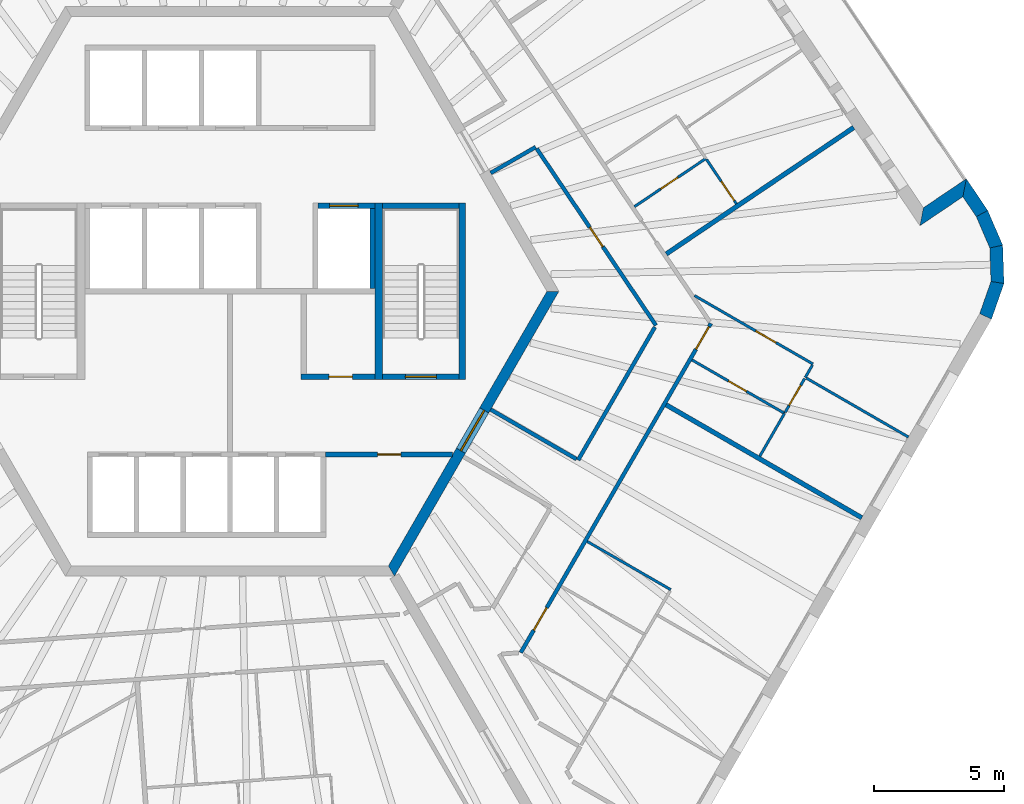
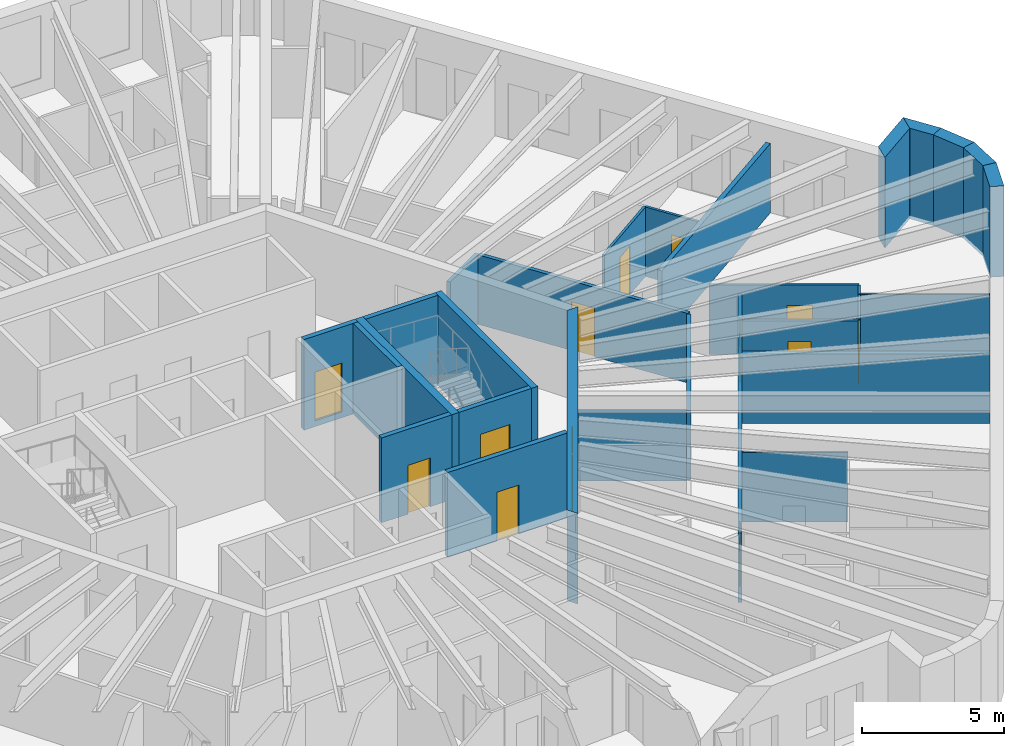
# One storey, part 7 of 12: 30 walls, 13 doors, 13 openings.
"""IFC4 building model written with IfcOpenShell, lengths in metres."""

from ifc_helpers import new_model, si_unit, direction, frame, frame_2d, origin, place, context, subcontext, project, spatial, polyline, rectangle, outline, extrude, material, layer, layer_set, type_object, element, fill, save


model = new_model("IFC4")

# Units and contexts
model_context = context("Model", 3, precision=1e-05, world=origin(), true_north=direction((0.0, 1.0)))
body_context = subcontext(model_context, "Body", "Model", "MODEL_VIEW")
ifc_project = project(units=[si_unit("LENGTHUNIT", "METRE"), si_unit("AREAUNIT", "SQUARE_METRE"), si_unit("VOLUMEUNIT", "CUBIC_METRE"), si_unit("PLANEANGLEUNIT", "RADIAN"), si_unit("MASSUNIT", "GRAM", prefix="KILO")], contexts=[model_context])

# Site, building, storey
site_placement = place(None, origin())
site = spatial("IfcSite", under=ifc_project, at=site_placement, CompositionType="ELEMENT")
building_placement = place(site_placement, origin())
building = spatial("IfcBuilding", under=site, at=building_placement, Name="Tarnside Tower", CompositionType="ELEMENT")
storey_placement = place(building_placement, frame((0.0, 0.0, 322.5)))
storey = spatial("IfcBuildingStorey", under=building, at=storey_placement, Name="L78", CompositionType="ELEMENT", Elevation=322.5)

# Wall
ifc_material_1 = material(Name="Gypsum board partition on steel studs", Category="steel")
ifc_layer_1 = layer(ifc_material_1, 0.10009765625)
ifc_layer_set_1 = layer_set([ifc_layer_1], Name="Bathroom wall 100")
wall_type_1 = type_object("IfcWallType", Name="Bathroom wall 100", PredefinedType="PARTITIONING", material=ifc_layer_set_1)
wall_1_placement = place(storey_placement, frame((13.7939453125, -9.657958984375, 0.0), z_axis=(0.0, 0.0, 1.0), x_axis=(0.866028424924, -0.499994767197, 0.0)))
element("IfcWall", 1, at=wall_1_placement, inside=storey, type_object=wall_type_1, Name="Bathroom wall 25146", PredefinedType="PARTITIONING", context=body_context, shape_type="SweptSolid", body=[
    extrude(rectangle(XDim=3.72509765625, YDim=0.10009765625, at=frame_2d((1.862548828125, 0.0))), origin(), (0.0, 0.0, 1.0), 2.98779296875),
])

# Wall, opening, door
wall_2_placement = place(storey_placement, frame((17.840087890625, -2.650146484375, 0.0), z_axis=(0.0, 0.0, 1.0), x_axis=(0.866019999656, -0.500009360108, 0.0)))
wall_2 = element("IfcWall", 2, at=wall_2_placement, inside=storey, type_object=wall_type_1, Name="Bathroom wall 25163", PredefinedType="PARTITIONING", context=body_context, shape_type="SweptSolid", body=[
    extrude(rectangle(XDim=4.125, YDim=0.10009765625, at=frame_2d((2.0625, 0.0))), origin(), (0.0, 0.0, 1.0), 2.98779296875),
])
opening_1_placement = place(wall_2_placement, frame((1.625, 0.0, 0.0)))
opening_1 = element("IfcOpeningElement", 3, at=opening_1_placement, cuts=wall_2, Name="Opening D-B1", PredefinedType="OPENING", context=body_context, shape_type="SweptSolid", body=[
    extrude(rectangle(XDim=0.800048828125, YDim=2.10009765625, at=frame_2d((0.39990234375, 1.050048828125))), frame((0.0, 0.06005859375, 0.0), z_axis=(0.0, -1.0, 0.0), x_axis=(1.0, 0.0, 0.0)), (0.0, 0.0, 1.0), 0.1201171875),
])
ifc_material_2 = material(Name="Timber door leaf", Category="wood")
door_type_1 = type_object("IfcDoorType", Name="Bathroom door 800", OperationType="NOTDEFINED", PredefinedType="DOOR", material=ifc_material_2)
door_1_placement = place(opening_1_placement, origin())
door_1 = element("IfcDoor", 4, at=door_1_placement, inside=storey, type_object=door_type_1, Name="Bathroom door 25058", OperationType="SINGLE_SWING_RIGHT", OverallHeight=2.10009765625, OverallWidth=0.800048828125, PredefinedType="DOOR", context=body_context, shape_type="SweptSolid", body=[
    extrude(rectangle(XDim=0.800048828125, YDim=2.10009765625, at=frame_2d((0.39990234375, 1.050048828125))), frame((0.0, 0.02490234375, 0.0), z_axis=(0.0, -1.0, 0.0), x_axis=(1.0, 0.0, 0.0)), (0.0, 0.0, 1.0), 0.050048828125),
])
fill(opening_1, door_1)

# Wall
wall_3_placement = place(storey_placement, frame((20.457275390625, -6.366943359375, 0.0), z_axis=(0.0, 0.0, 1.0), x_axis=(0.499984020225, 0.866034629516, 0.0)))
element("IfcWall", 5, at=wall_3_placement, inside=storey, type_object=wall_type_1, Name="Bathroom wall 25165", PredefinedType="PARTITIONING", context=body_context, shape_type="SweptSolid", body=[
    extrude(rectangle(XDim=1.912109375, YDim=0.10009765625, at=frame_2d((0.9560546875, 0.0))), origin(), (0.0, 0.0, 1.0), 2.98779296875),
])

# Wall, opening, door
wall_4_placement = place(storey_placement, frame((18.37451171875, 5.126708984375, 0.0), z_axis=(0.0, 0.0, 1.0), x_axis=(-0.82903334026, -0.559199178055, 0.0)))
wall_4 = element("IfcWall", 6, at=wall_4_placement, inside=storey, type_object=wall_type_1, Name="Bathroom wall 25170", PredefinedType="PARTITIONING", context=body_context, shape_type="SweptSolid", body=[
    extrude(rectangle(XDim=3.324951171875, YDim=0.10009765625, at=frame_2d((1.66259765625, 0.0))), origin(), (0.0, 0.0, 1.0), 2.98779296875),
])
opening_2_placement = place(wall_4_placement, frame((1.300048828125, 0.0, 0.0)))
opening_2 = element("IfcOpeningElement", 7, at=opening_2_placement, cuts=wall_4, Name="Opening D-B1", PredefinedType="OPENING", context=body_context, shape_type="SweptSolid", body=[
    extrude(rectangle(XDim=0.800048828125, YDim=2.10009765625, at=frame_2d((0.39990234375, 1.050048828125))), frame((0.0, 0.06005859375, 0.0), z_axis=(0.0, -1.0, 0.0), x_axis=(1.0, 0.0, 0.0)), (0.0, 0.0, 1.0), 0.1201171875),
])
door_2_placement = place(opening_2_placement, origin())
door_2 = element("IfcDoor", 8, at=door_2_placement, inside=storey, type_object=door_type_1, Name="Bathroom door 25062", OperationType="SINGLE_SWING_LEFT", OverallHeight=2.10009765625, OverallWidth=0.800048828125, PredefinedType="DOOR", context=body_context, shape_type="SweptSolid", body=[
    extrude(rectangle(XDim=0.800048828125, YDim=2.10009765625, at=frame_2d((0.39990234375, 1.050048828125))), frame((0.0, 0.02490234375, 0.0), z_axis=(0.0, -1.0, 0.0), x_axis=(1.0, 0.0, 0.0)), (0.0, 0.0, 1.0), 0.050048828125),
])
fill(opening_2, door_2)

ifc_material_3 = material(Name="Concrete C40/50", Category="concrete")
ifc_layer_2 = layer(ifc_material_3, 0.199951171875)
ifc_layer_set_2 = layer_set([ifc_layer_2], Name="Core room partition 200 C40/50")
wall_type_2 = type_object("IfcWallType", Name="Core room partition 200 C40/50", PredefinedType="PARTITIONING", material=ifc_layer_set_2)
wall_5_placement = place(storey_placement, frame((2.75, -3.300048828125, 0.0), z_axis=(0.0, 0.0, 1.0), x_axis=(1.0, 0.0, 0.0)))
wall_5 = element("IfcWall", 9, at=wall_5_placement, inside=storey, type_object=wall_type_2, Name="L78 core partition R3S1", PredefinedType="PARTITIONING", context=body_context, shape_type="SweptSolid", body=[
    extrude(rectangle(XDim=2.85009765625, YDim=0.199951171875, at=frame_2d((1.425048828125, 0.0))), origin(), (0.0, 0.0, 1.0), 3.64990234375),
])
opening_3_placement = place(wall_5_placement, frame((1.074951171875, 0.0, 0.0)))
opening_3 = element("IfcOpeningElement", 10, at=opening_3_placement, cuts=wall_5, Name="Opening CD-room", PredefinedType="OPENING", context=body_context, shape_type="SweptSolid", body=[
    extrude(rectangle(XDim=0.89990234375, YDim=2.10009765625, at=frame_2d((0.449951171875, 1.050048828125))), frame((0.0, 0.10986328125, 0.0), z_axis=(0.0, -1.0, 0.0), x_axis=(1.0, 0.0, 0.0)), (0.0, 0.0, 1.0), 0.219970703125),
])
ifc_material_4 = material(Name="Steel fire door", Category="steel")
door_type_2 = type_object("IfcDoorType", Name="Room door FD60 900x2100", OperationType="NOTDEFINED", PredefinedType="DOOR", material=ifc_material_4)
door_3_placement = place(opening_3_placement, origin())
door_3 = element("IfcDoor", 11, at=door_3_placement, inside=storey, type_object=door_type_2, Name="L78 core room door SR1", OperationType="SINGLE_SWING_LEFT", OverallHeight=2.10009765625, OverallWidth=0.89990234375, PredefinedType="DOOR", context=body_context, shape_type="SweptSolid", body=[
    extrude(rectangle(XDim=0.89990234375, YDim=2.10009765625, at=frame_2d((0.449951171875, 1.050048828125))), frame((0.0, 0.02490234375, 0.0), z_axis=(0.0, -1.0, 0.0), x_axis=(1.0, 0.0, 0.0)), (0.0, 0.0, 1.0), 0.050048828125),
])
fill(opening_3, door_3)

wall_6_placement = place(storey_placement, frame((3.699951171875, -6.300048828125, 0.0), z_axis=(0.0, 0.0, 1.0), x_axis=(1.0, 0.0, 0.0)))
wall_6 = element("IfcWall", 12, at=wall_6_placement, inside=storey, type_object=wall_type_2, Name="L78 core partition R4X", PredefinedType="PARTITIONING", context=body_context, shape_type="SweptSolid", body=[
    extrude(rectangle(XDim=4.902587890625, YDim=0.199951171875, at=frame_2d((2.451171875, 0.0))), origin(), (0.0, 0.0, 1.0), 3.64990234375),
])
opening_4_placement = place(wall_6_placement, frame((2.001220703125, 0.0, 0.0)))
opening_4 = element("IfcOpeningElement", 13, at=opening_4_placement, cuts=wall_6, Name="Opening CD-room", PredefinedType="OPENING", context=body_context, shape_type="SweptSolid", body=[
    extrude(rectangle(XDim=0.89990234375, YDim=2.10009765625, at=frame_2d((0.449951171875, 1.050048828125))), frame((0.0, 0.10986328125, 0.0), z_axis=(0.0, -1.0, 0.0), x_axis=(1.0, 0.0, 0.0)), (0.0, 0.0, 1.0), 0.219970703125),
])
door_4_placement = place(opening_4_placement, origin())
door_4 = element("IfcDoor", 14, at=door_4_placement, inside=storey, type_object=door_type_2, Name="L78 core room door RX", OperationType="SINGLE_SWING_LEFT", OverallHeight=2.10009765625, OverallWidth=0.89990234375, PredefinedType="DOOR", context=body_context, shape_type="SweptSolid", body=[
    extrude(rectangle(XDim=0.89990234375, YDim=2.10009765625, at=frame_2d((0.449951171875, 1.050048828125))), frame((0.0, 0.02490234375, 0.0), z_axis=(0.0, -1.0, 0.0), x_axis=(1.0, 0.0, 0.0)), (0.0, 0.0, 1.0), 0.050048828125),
])
fill(opening_4, door_4)

ifc_material_5 = material(Name="Concrete C60/75", Category="concrete")
ifc_layer_3 = layer(ifc_material_5, 0.39990234375)
ifc_layer_set_3 = layer_set([ifc_layer_3], Name="Core wall Z3 400 C60/75")
wall_type_3 = type_object("IfcWallType", Name="Core wall Z3 400 C60/75", PredefinedType="SHEAR", material=ifc_layer_set_3)
wall_7_placement = place(storey_placement, frame((6.2353515625, -10.800048828125, -0.14990234375), z_axis=(0.0, 0.0, 1.0), x_axis=(0.499996419489, 0.866027470984, 0.0)))
wall_7 = element("IfcWall", 15, at=wall_7_placement, inside=storey, type_object=wall_type_3, Name="L78 core wall face 5", PredefinedType="SHEAR", context=body_context, shape_type="SweptSolid", body=[
    extrude(outline(polyline([(-0.115478515625, -0.199951171875), (12.586181640625, -0.199951171875), (12.355224609375, 0.199951171875), (0.115478515625, 0.199951171875), (-0.115478515625, -0.199951171875)])), origin(), (0.0, 0.0, 1.0), 3.89990234375),
])
opening_5_placement = place(wall_7_placement, frame((5.3642578125, 0.0, 0.14990234375)))
opening_5 = element("IfcOpeningElement", 16, at=opening_5_placement, cuts=wall_7, Name="Opening CD-FFL", PredefinedType="OPENING", context=body_context, shape_type="SweptSolid", body=[
    extrude(rectangle(XDim=1.800048828125, YDim=2.39990234375, at=frame_2d((0.89990234375, 1.199951171875))), frame((0.0, 0.2099609375, 0.0), z_axis=(0.0, -1.0, 0.0), x_axis=(1.0, 0.0, 0.0)), (0.0, 0.0, 1.0), 0.419921875),
])
door_type_3 = type_object("IfcDoorType", Name="Firefighting lobby double door FD60S 1800x2400", OperationType="NOTDEFINED", PredefinedType="DOOR", material=ifc_material_4)
door_5_placement = place(opening_5_placement, origin())
door_5 = element("IfcDoor", 17, at=door_5_placement, inside=storey, type_object=door_type_3, Name="L78 core door P4", OperationType="DOUBLE_DOOR_SINGLE_SWING", OverallHeight=2.39990234375, OverallWidth=1.800048828125, PredefinedType="DOOR", context=body_context, shape_type="SweptSolid", body=[
    extrude(rectangle(XDim=1.800048828125, YDim=2.39990234375, at=frame_2d((0.89990234375, 1.199951171875))), frame((0.0, 0.02490234375, 0.0), z_axis=(0.0, -1.0, 0.0), x_axis=(1.0, 0.0, 0.0)), (0.0, 0.0, 1.0), 0.050048828125),
])
fill(opening_5, door_5)

# Wall, openings, doors
ifc_layer_4 = layer(ifc_material_1, 0.14990234375)
ifc_layer_set_4 = layer_set([ifc_layer_4], Name="Corridor wall 150 EI 60")
wall_type_4 = type_object("IfcWallType", Name="Corridor wall 150 EI 60", PredefinedType="PARTITIONING", material=ifc_layer_set_4)
wall_8_placement = place(storey_placement, frame((11.22900390625, -13.95068359375, 0.0), z_axis=(0.0, 0.0, 1.0), x_axis=(0.499997948852, 0.866026588012, 0.0)))
wall_8 = element("IfcWall", 18, at=wall_8_placement, inside=storey, type_object=wall_type_4, Name="Corridor wall 25053", PredefinedType="PARTITIONING", context=body_context, shape_type="SweptSolid", body=[
    extrude(rectangle(XDim=14.67724609375, YDim=0.14990234375, at=frame_2d((7.338623046875, 0.0))), origin(), (0.0, 0.0, 1.0), 2.98779296875),
])
opening_6_placement = place(wall_8_placement, frame((1.0, 0.0, 0.0)))
opening_6 = element("IfcOpeningElement", 19, at=opening_6_placement, cuts=wall_8, Name="Opening D-E1", PredefinedType="OPENING", context=body_context, shape_type="SweptSolid", body=[
    extrude(rectangle(XDim=1.0, YDim=2.10009765625, at=frame_2d((0.5, 1.050048828125))), frame((0.0, 0.0849609375, 0.0), z_axis=(0.0, -1.0, 0.0), x_axis=(1.0, 0.0, 0.0)), (0.0, 0.0, 1.0), 0.169921875),
])
opening_7_placement = place(wall_8_placement, frame((13.52734375, 0.0, 0.0)))
opening_7 = element("IfcOpeningElement", 20, at=opening_7_placement, cuts=wall_8, Name="Opening D-E1", PredefinedType="OPENING", context=body_context, shape_type="SweptSolid", body=[
    extrude(rectangle(XDim=1.0, YDim=2.10009765625, at=frame_2d((0.5, 1.050048828125))), frame((0.0, 0.0849609375, 0.0), z_axis=(0.0, -1.0, 0.0), x_axis=(1.0, 0.0, 0.0)), (0.0, 0.0, 1.0), 0.169921875),
])
door_type_4 = type_object("IfcDoorType", Name="Unit entrance door 1000 FD30S", OperationType="NOTDEFINED", PredefinedType="DOOR", material=ifc_material_2)
door_6_placement = place(opening_6_placement, origin())
door_6 = element("IfcDoor", 21, at=door_6_placement, inside=storey, type_object=door_type_4, Name="Unit door 25047", OperationType="SINGLE_SWING_RIGHT", OverallHeight=2.10009765625, OverallWidth=1.0, PredefinedType="DOOR", context=body_context, shape_type="SweptSolid", body=[
    extrude(rectangle(XDim=1.0, YDim=2.10009765625, at=frame_2d((0.5, 1.050048828125))), frame((0.0, 0.02490234375, 0.0), z_axis=(0.0, -1.0, 0.0), x_axis=(1.0, 0.0, 0.0)), (0.0, 0.0, 1.0), 0.050048828125),
])
fill(opening_6, door_6)
door_7_placement = place(opening_7_placement, origin())
door_7 = element("IfcDoor", 22, at=door_7_placement, inside=storey, type_object=door_type_4, Name="Unit door 25057", OperationType="SINGLE_SWING_LEFT", OverallHeight=2.10009765625, OverallWidth=1.0, PredefinedType="DOOR", context=body_context, shape_type="SweptSolid", body=[
    extrude(rectangle(XDim=1.0, YDim=2.10009765625, at=frame_2d((0.5, 1.050048828125))), frame((0.0, 0.02490234375, 0.0), z_axis=(0.0, -1.0, 0.0), x_axis=(1.0, 0.0, 0.0)), (0.0, 0.0, 1.0), 0.050048828125),
])
fill(opening_7, door_7)

# Wall
wall_9_placement = place(storey_placement, frame((10.065673828125, 4.565673828125, 0.0), z_axis=(0.0, 0.0, 1.0), x_axis=(0.866033651025, 0.499985715088, 0.0)))
element("IfcWall", 23, at=wall_9_placement, inside=storey, type_object=wall_type_4, Name="Corridor wall 25073", PredefinedType="PARTITIONING", context=body_context, shape_type="SweptSolid", body=[
    extrude(rectangle(XDim=2.0068359375, YDim=0.14990234375, at=frame_2d((1.00341796875, 0.0))), origin(), (0.0, 0.0, 1.0), 2.98779296875),
])

# Wall, opening, door
wall_10_placement = place(storey_placement, frame((11.845703125, 5.5068359375, 0.0), z_axis=(0.0, 0.0, 1.0), x_axis=(0.559204754045, -0.829029579119, 0.0)))
wall_10 = element("IfcWall", 24, at=wall_10_placement, inside=storey, type_object=wall_type_4, Name="Corridor wall 25074", PredefinedType="PARTITIONING", context=body_context, shape_type="SweptSolid", body=[
    extrude(rectangle(XDim=8.2275390625, YDim=0.14990234375, at=frame_2d((4.11376953125, 0.0))), origin(), (0.0, 0.0, 1.0), 2.98779296875),
])
opening_8_placement = place(wall_10_placement, frame((3.66357421875, 0.0, 0.0)))
opening_8 = element("IfcOpeningElement", 25, at=opening_8_placement, cuts=wall_10, Name="Opening D-S1", PredefinedType="OPENING", context=body_context, shape_type="SweptSolid", body=[
    extrude(rectangle(XDim=0.89990234375, YDim=2.10009765625, at=frame_2d((0.449951171875, 1.050048828125))), frame((0.0, 0.0849609375, 0.0), z_axis=(0.0, -1.0, 0.0), x_axis=(1.0, 0.0, 0.0)), (0.0, 0.0, 1.0), 0.169921875),
])
door_type_5 = type_object("IfcDoorType", Name="Service room door 900 FD30S", OperationType="NOTDEFINED", PredefinedType="DOOR", material=ifc_material_2)
door_8_placement = place(opening_8_placement, origin())
door_8 = element("IfcDoor", 26, at=door_8_placement, inside=storey, type_object=door_type_5, Name="Service door 25075", OperationType="SINGLE_SWING_LEFT", OverallHeight=2.10009765625, OverallWidth=0.89990234375, PredefinedType="DOOR", context=body_context, shape_type="SweptSolid", body=[
    extrude(rectangle(XDim=0.89990234375, YDim=2.10009765625, at=frame_2d((0.449951171875, 1.050048828125))), frame((0.0, 0.02490234375, 0.0), z_axis=(0.0, -1.0, 0.0), x_axis=(1.0, 0.0, 0.0)), (0.0, 0.0, 1.0), 0.050048828125),
])
fill(opening_8, door_8)

# Walls
wall_11_placement = place(storey_placement, frame((16.40478515625, -1.38623046875, 0.0), z_axis=(0.0, 0.0, 1.0), x_axis=(-0.500026921216, -0.866009860255, 0.0)))
element("IfcWall", 27, at=wall_11_placement, inside=storey, type_object=wall_type_4, Name="Corridor wall 25075", PredefinedType="PARTITIONING", context=body_context, shape_type="SweptSolid", body=[
    extrude(rectangle(XDim=5.923095703125, YDim=0.14990234375, at=frame_2d((2.96142578125, 0.0))), origin(), (0.0, 0.0, 1.0), 2.98779296875),
])
wall_12_placement = place(storey_placement, frame((13.378173828125, -6.478271484375, 0.0), z_axis=(0.0, 0.0, 1.0), x_axis=(-0.866011265228, 0.500024487898, 0.0)))
element("IfcWall", 28, at=wall_12_placement, inside=storey, type_object=wall_type_4, Name="Corridor wall 25076", PredefinedType="PARTITIONING", context=body_context, shape_type="SweptSolid", body=[
    extrude(rectangle(XDim=3.824951171875, YDim=0.14990234375, at=frame_2d((1.91259765625, 0.0))), origin(), (0.0, 0.0, 1.0), 2.98779296875),
])
ifc_layer_5 = layer(ifc_material_1, 0.179931640625)
ifc_layer_set_5 = layer_set([ifc_layer_5], Name="Demising wall 180 EI 60")
wall_type_5 = type_object("IfcWallType", Name="Demising wall 180 EI 60", PredefinedType="PARTITIONING", material=ifc_layer_set_5)
wall_13_placement = place(storey_placement, frame((24.39599609375, -8.744873046875, 0.0), z_axis=(0.0, 0.0, 1.0), x_axis=(-0.866018297078, 0.500012308975, 0.0)))
element("IfcWall", 29, at=wall_13_placement, inside=storey, type_object=wall_type_5, Name="Demising wall 25149", PredefinedType="PARTITIONING", context=body_context, shape_type="SweptSolid", body=[
    extrude(rectangle(XDim=8.724853515625, YDim=0.179931640625, at=frame_2d((4.3623046875, 0.0))), origin(), (0.0, 0.0, 1.0), 2.98779296875),
])
wall_14_placement = place(storey_placement, frame((24.08154296875, 6.322509765625, 0.0), z_axis=(0.0, 0.0, 1.0), x_axis=(-0.829028989438, -0.559205628254, 0.0)))
element("IfcWall", 30, at=wall_14_placement, inside=storey, type_object=wall_type_5, Name="Demising wall 25161", PredefinedType="PARTITIONING", context=body_context, shape_type="SweptSolid", body=[
    extrude(rectangle(XDim=8.72509765625, YDim=0.179931640625, at=frame_2d((4.362548828125, 0.0))), origin(), (0.0, 0.0, 1.0), 2.98779296875),
])

# Wall, opening, door
ifc_layer_6 = layer(ifc_material_3, 0.199951171875)
ifc_layer_set_6 = layer_set([ifc_layer_6], Name="Lift shaft wall 200 C40/50")
wall_type_6 = type_object("IfcWallType", Name="Lift shaft wall 200 C40/50", PredefinedType="SHEAR", material=ifc_layer_set_6)
wall_15_placement = place(storey_placement, frame((3.39990234375, 3.300048828125, -0.25), z_axis=(0.0, 0.0, 1.0), x_axis=(1.0, 0.0, 0.0)))
wall_15 = element("IfcWall", 31, at=wall_15_placement, inside=storey, type_object=wall_type_6, Name="L78 lift shaft front wall R2 2", PredefinedType="SHEAR", context=body_context, shape_type="SweptSolid", body=[
    extrude(rectangle(XDim=2.2001953125, YDim=0.199951171875, at=frame_2d((1.10009765625, 0.0))), origin(), (0.0, 0.0, 1.0), 3.89990234375),
])
opening_9_placement = place(wall_15_placement, frame((0.449951171875, 0.0, 0.25)))
opening_9 = element("IfcOpeningElement", 32, at=opening_9_placement, cuts=wall_15, Name="Opening LD", PredefinedType="OPENING", context=body_context, shape_type="SweptSolid", body=[
    extrude(rectangle(XDim=1.10009765625, YDim=2.10009765625, at=frame_2d((0.550048828125, 1.050048828125))), frame((0.0, 0.10986328125, 0.0), z_axis=(0.0, -1.0, 0.0), x_axis=(1.0, 0.0, 0.0)), (0.0, 0.0, 1.0), 0.219970703125),
])
ifc_material_6 = material(Name="Stainless steel", Category="steel")
door_type_6 = type_object("IfcDoorType", Name="Lift landing door 1100x2100", OperationType="NOTDEFINED", PredefinedType="DOOR", material=ifc_material_6)
door_9_placement = place(opening_9_placement, origin())
door_9 = element("IfcDoor", 33, at=door_9_placement, inside=storey, type_object=door_type_6, Name="Express sky-lobby shuttle 2 landing door L78", OperationType="SLIDING_TO_LEFT", OverallHeight=2.10009765625, OverallWidth=1.10009765625, PredefinedType="DOOR", context=body_context, shape_type="SweptSolid", body=[
    extrude(rectangle(XDim=1.10009765625, YDim=2.10009765625, at=frame_2d((0.550048828125, 1.050048828125))), frame((0.0, 0.02490234375, 0.0), z_axis=(0.0, -1.0, 0.0), x_axis=(1.0, 0.0, 0.0)), (0.0, 0.0, 1.0), 0.050048828125),
])
fill(opening_9, door_9)

# Walls
wall_16_placement = place(storey_placement, frame((5.5, 0.10009765625, -0.25), z_axis=(0.0, 0.0, 1.0), x_axis=(0.0, 1.0, 0.0)))
element("IfcWall", 34, at=wall_16_placement, inside=storey, type_object=wall_type_6, Name="L78 lift shaft partition R26", PredefinedType="SHEAR", context=body_context, shape_type="SweptSolid", body=[
    extrude(rectangle(XDim=3.099853515625, YDim=0.199951171875, at=frame_2d((1.5498046875, 0.0))), origin(), (0.0, 0.0, 1.0), 3.89990234375),
])
wall_17_placement = place(storey_placement, frame((5.89990234375, 3.300048828125, -0.25), z_axis=(0.0, 0.0, 1.0), x_axis=(1.0, 0.0, 0.0)))
element("IfcWall", 35, at=wall_17_placement, inside=storey, type_object=wall_type_6, Name="L78 stair 1 enclosure cap wall n", PredefinedType="SHEAR", context=body_context, shape_type="SweptSolid", body=[
    extrude(rectangle(XDim=2.9501953125, YDim=0.199951171875, at=frame_2d((1.47509765625, 0.0))), origin(), (0.0, 0.0, 1.0), 3.89990234375),
])

# Wall, opening, door
wall_18_placement = place(storey_placement, frame((5.89990234375, -3.300048828125, -0.25), z_axis=(0.0, 0.0, 1.0), x_axis=(1.0, 0.0, 0.0)))
wall_18 = element("IfcWall", 36, at=wall_18_placement, inside=storey, type_object=wall_type_6, Name="L78 stair 1 enclosure cap wall s", PredefinedType="SHEAR", context=body_context, shape_type="SweptSolid", body=[
    extrude(rectangle(XDim=2.9501953125, YDim=0.199951171875, at=frame_2d((1.47509765625, 0.0))), origin(), (0.0, 0.0, 1.0), 3.89990234375),
])
opening_10_placement = place(wall_18_placement, frame((0.875, 0.0, 0.25)))
opening_10 = element("IfcOpeningElement", 37, at=opening_10_placement, cuts=wall_18, Name="Opening CD-STR", PredefinedType="OPENING", context=body_context, shape_type="SweptSolid", body=[
    extrude(rectangle(XDim=1.199951171875, YDim=2.39990234375, at=frame_2d((0.60009765625, 1.199951171875))), frame((0.0, 0.10986328125, 0.0), z_axis=(0.0, -1.0, 0.0), x_axis=(1.0, 0.0, 0.0)), (0.0, 0.0, 1.0), 0.219970703125),
])
door_type_7 = type_object("IfcDoorType", Name="Stair door FD60S 1200x2400", OperationType="NOTDEFINED", PredefinedType="DOOR", material=ifc_material_4)
door_10_placement = place(opening_10_placement, origin())
door_10 = element("IfcDoor", 38, at=door_10_placement, inside=storey, type_object=door_type_7, Name="L78 stair 1 door", OperationType="SINGLE_SWING_LEFT", OverallHeight=2.39990234375, OverallWidth=1.199951171875, PredefinedType="DOOR", context=body_context, shape_type="SweptSolid", body=[
    extrude(rectangle(XDim=1.199951171875, YDim=2.39990234375, at=frame_2d((0.60009765625, 1.199951171875))), frame((0.0, 0.02490234375, 0.0), z_axis=(0.0, -1.0, 0.0), x_axis=(1.0, 0.0, 0.0)), (0.0, 0.0, 1.0), 0.050048828125),
])
fill(opening_10, door_10)

# Walls
ifc_material_7 = material(Name="Dark zinc cladding")
ifc_layer_7 = layer(ifc_material_7, 0.10205078125)
ifc_material_8 = material(Name="Concrete C60/75 precast", Category="concrete")
ifc_layer_8 = layer(ifc_material_8, 0.298095703125)
ifc_material_9 = material(Name="Mineral wool insulation")
ifc_layer_9 = layer(ifc_material_9, 0.10009765625)
ifc_layer_set_7 = layer_set([ifc_layer_7, ifc_layer_8, ifc_layer_9], Name="Loggia wall 500 zinc faced")
wall_type_7 = type_object("IfcWallType", Name="Loggia wall 500 zinc faced", PredefinedType="SOLIDWALL", material=ifc_layer_set_7)
wall_19_placement = place(storey_placement, frame((29.034912109375, 3.00244140625, -0.14990234375), z_axis=(0.0, 0.0, 1.0), x_axis=(-0.559200218553, 0.829032638423, 0.0)))
element("IfcWall", 39, at=wall_19_placement, inside=storey, type_object=wall_type_7, Name="Tube wall L78 F6 stub 28", PredefinedType="SOLIDWALL", context=body_context, shape_type="SweptSolid", body=[
    extrude(outline(polyline([(-0.0234375, -0.25), (1.44970703125, -0.25), (0.94970703125, 0.25), (0.0234375, 0.25), (-0.0234375, -0.25)])), origin(), (0.0, 0.0, 1.0), 3.89990234375),
])
wall_20_placement = place(storey_placement, frame((28.364013671875, 3.9970703125, -0.14990234375), z_axis=(0.0, 0.0, 1.0), x_axis=(-0.829108975345, -0.5590870299, 0.0)))
element("IfcWall", 40, at=wall_20_placement, inside=storey, type_object=wall_type_7, Name="Tube wall L78 F6 return 29", PredefinedType="SOLIDWALL", context=body_context, shape_type="SweptSolid", body=[
    extrude(outline(polyline([(-0.25, -0.25), (1.75, -0.25), (2.25, 0.25), (0.25, 0.25), (-0.25, -0.25)])), origin(), (0.0, 0.0, 1.0), 3.89990234375),
])

# Wall, opening, door
ifc_layer_10 = layer(ifc_material_1, 0.10009765625)
ifc_layer_set_8 = layer_set([ifc_layer_10], Name="Partition 100")
wall_type_8 = type_object("IfcWallType", Name="Partition 100", PredefinedType="PARTITIONING", material=ifc_layer_set_8)
wall_21_placement = place(storey_placement, frame((17.931640625, -0.162841796875, 0.0), z_axis=(0.0, 0.0, 1.0), x_axis=(0.866021868245, -0.500006123685, 0.0)))
wall_21 = element("IfcWall", 41, at=wall_21_placement, inside=storey, type_object=wall_type_8, Name="Partition wall 25158", PredefinedType="PARTITIONING", context=body_context, shape_type="SweptSolid", body=[
    extrude(rectangle(XDim=5.28955078125, YDim=0.10009765625, at=frame_2d((2.644775390625, 0.0))), origin(), (0.0, 0.0, 1.0), 2.98779296875),
])
opening_11_placement = place(wall_21_placement, frame((2.7392578125, 0.0, 0.0)))
opening_11 = element("IfcOpeningElement", 42, at=opening_11_placement, cuts=wall_21, Name="Opening D-I1", PredefinedType="OPENING", context=body_context, shape_type="SweptSolid", body=[
    extrude(rectangle(XDim=0.89990234375, YDim=2.10009765625, at=frame_2d((0.449951171875, 1.050048828125))), frame((0.0, 0.06005859375, 0.0), z_axis=(0.0, -1.0, 0.0), x_axis=(1.0, 0.0, 0.0)), (0.0, 0.0, 1.0), 0.1201171875),
])
door_type_8 = type_object("IfcDoorType", Name="Internal door 900", OperationType="NOTDEFINED", PredefinedType="DOOR", material=ifc_material_2)
door_11_placement = place(opening_11_placement, origin())
door_11 = element("IfcDoor", 43, at=door_11_placement, inside=storey, type_object=door_type_8, Name="Internal door 25059", OperationType="SINGLE_SWING_LEFT", OverallHeight=2.10009765625, OverallWidth=0.89990234375, PredefinedType="DOOR", context=body_context, shape_type="SweptSolid", body=[
    extrude(rectangle(XDim=0.89990234375, YDim=2.10009765625, at=frame_2d((0.449951171875, 1.050048828125))), frame((0.0, 0.02490234375, 0.0), z_axis=(0.0, -1.0, 0.0), x_axis=(1.0, 0.0, 0.0)), (0.0, 0.0, 1.0), 0.050048828125),
])
fill(opening_11, door_11)

# Walls
wall_22_placement = place(storey_placement, frame((22.4873046875, -2.850830078125, 0.0), z_axis=(0.0, 0.0, 1.0), x_axis=(-0.499850094852, -0.866111934265, 0.0)))
element("IfcWall", 44, at=wall_22_placement, inside=storey, type_object=wall_type_8, Name="Partition wall 25159", PredefinedType="PARTITIONING", context=body_context, shape_type="SweptSolid", body=[
    extrude(rectangle(XDim=0.552001953125, YDim=0.10009765625, at=frame_2d((0.27587890625, 0.0))), origin(), (0.0, 0.0, 1.0), 2.98779296875),
])
wall_23_placement = place(storey_placement, frame((22.255615234375, -3.35205078125, 0.0), z_axis=(0.0, 0.0, 1.0), x_axis=(0.866012237902, -0.500022803284, 0.0)))
element("IfcWall", 45, at=wall_23_placement, inside=storey, type_object=wall_type_8, Name="Partition wall 25160", PredefinedType="PARTITIONING", context=body_context, shape_type="SweptSolid", body=[
    extrude(rectangle(XDim=4.550048828125, YDim=0.10009765625, at=frame_2d((2.27490234375, 0.0))), origin(), (0.0, 0.0, 1.0), 2.98779296875),
])

# Wall, opening, door
wall_24_placement = place(storey_placement, frame((21.436279296875, -4.671142578125, 0.0), z_axis=(0.0, 0.0, 1.0), x_axis=(0.499985098601, 0.86603400694, 0.0)))
wall_24 = element("IfcWall", 46, at=wall_24_placement, inside=storey, type_object=wall_type_8, Name="Partition wall 25164", PredefinedType="PARTITIONING", context=body_context, shape_type="SweptSolid", body=[
    extrude(rectangle(XDim=1.501953125, YDim=0.10009765625, at=frame_2d((0.7509765625, 0.0))), origin(), (0.0, 0.0, 1.0), 2.98779296875),
])
opening_12_placement = place(wall_24_placement, frame((0.302001953125, 0.0, 0.0)))
opening_12 = element("IfcOpeningElement", 47, at=opening_12_placement, cuts=wall_24, Name="Opening D-I1", PredefinedType="OPENING", context=body_context, shape_type="SweptSolid", body=[
    extrude(rectangle(XDim=0.89990234375, YDim=2.10009765625, at=frame_2d((0.449951171875, 1.050048828125))), frame((0.0, 0.06005859375, 0.0), z_axis=(0.0, -1.0, 0.0), x_axis=(1.0, 0.0, 0.0)), (0.0, 0.0, 1.0), 0.1201171875),
])
door_12_placement = place(opening_12_placement, origin())
door_12 = element("IfcDoor", 48, at=door_12_placement, inside=storey, type_object=door_type_8, Name="Internal door 25060", OperationType="SINGLE_SWING_LEFT", OverallHeight=2.10009765625, OverallWidth=0.89990234375, PredefinedType="DOOR", context=body_context, shape_type="SweptSolid", body=[
    extrude(rectangle(XDim=0.89990234375, YDim=2.10009765625, at=frame_2d((0.449951171875, 1.050048828125))), frame((0.0, 0.02490234375, 0.0), z_axis=(0.0, -1.0, 0.0), x_axis=(1.0, 0.0, 0.0)), (0.0, 0.0, 1.0), 0.050048828125),
])
fill(opening_12, door_12)

wall_25_placement = place(storey_placement, frame((19.554443359375, 3.37744140625, 0.0), z_axis=(0.0, 0.0, 1.0), x_axis=(-0.559200338399, 0.829032557584, 0.0)))
wall_25 = element("IfcWall", 49, at=wall_25_placement, inside=storey, type_object=wall_type_8, Name="Partition wall 25171", PredefinedType="PARTITIONING", context=body_context, shape_type="SweptSolid", body=[
    extrude(rectangle(XDim=2.06201171875, YDim=0.10009765625, at=frame_2d((1.031005859375, 0.0))), origin(), (0.0, 0.0, 1.0), 2.98779296875),
])
opening_13_placement = place(wall_25_placement, frame((0.14990234375, 0.0, 0.0)))
opening_13 = element("IfcOpeningElement", 50, at=opening_13_placement, cuts=wall_25, Name="Opening D-I1", PredefinedType="OPENING", context=body_context, shape_type="SweptSolid", body=[
    extrude(rectangle(XDim=0.89990234375, YDim=2.10009765625, at=frame_2d((0.449951171875, 1.050048828125))), frame((0.0, 0.06005859375, 0.0), z_axis=(0.0, -1.0, 0.0), x_axis=(1.0, 0.0, 0.0)), (0.0, 0.0, 1.0), 0.1201171875),
])
door_13_placement = place(opening_13_placement, origin())
door_13 = element("IfcDoor", 51, at=door_13_placement, inside=storey, type_object=door_type_8, Name="Internal door 25064", OperationType="SINGLE_SWING_LEFT", OverallHeight=2.10009765625, OverallWidth=0.89990234375, PredefinedType="DOOR", context=body_context, shape_type="SweptSolid", body=[
    extrude(rectangle(XDim=0.89990234375, YDim=2.10009765625, at=frame_2d((0.449951171875, 1.050048828125))), frame((0.0, 0.02490234375, 0.0), z_axis=(0.0, -1.0, 0.0), x_axis=(1.0, 0.0, 0.0)), (0.0, 0.0, 1.0), 0.050048828125),
])
fill(opening_13, door_13)

# Walls
ifc_layer_11 = layer(ifc_material_3, 0.25)
ifc_layer_set_9 = layer_set([ifc_layer_11], Name="Stair enclosure wall 250 C40/50")
wall_type_9 = type_object("IfcWallType", Name="Stair enclosure wall 250 C40/50", PredefinedType="SHEAR", material=ifc_layer_set_9)
wall_26_placement = place(storey_placement, frame((8.97509765625, -3.39990234375, -0.25), z_axis=(0.0, 0.0, 1.0), x_axis=(0.0, 1.0, 0.0)))
element("IfcWall", 52, at=wall_26_placement, inside=storey, type_object=wall_type_9, Name="L78 stair 1 enclosure wall outer", PredefinedType="SHEAR", context=body_context, shape_type="SweptSolid", body=[
    extrude(rectangle(XDim=6.7998046875, YDim=0.25, at=frame_2d((3.39990234375, 0.0))), origin(), (0.0, 0.0, 1.0), 3.89990234375),
])
ifc_layer_12 = layer(ifc_material_3, 0.300048828125)
ifc_layer_set_10 = layer_set([ifc_layer_12], Name="Stair enclosure wall 300 C40/50")
wall_type_10 = type_object("IfcWallType", Name="Stair enclosure wall 300 C40/50", PredefinedType="SHEAR", material=ifc_layer_set_10)
wall_27_placement = place(storey_placement, frame((5.75, -3.39990234375, -0.25), z_axis=(0.0, 0.0, 1.0), x_axis=(0.0, 1.0, 0.0)))
element("IfcWall", 53, at=wall_27_placement, inside=storey, type_object=wall_type_10, Name="L78 stair 1 enclosure wall inner", PredefinedType="SHEAR", context=body_context, shape_type="SweptSolid", body=[
    extrude(rectangle(XDim=6.7998046875, YDim=0.300048828125, at=frame_2d((3.39990234375, 0.0))), origin(), (0.0, 0.0, 1.0), 3.89990234375),
])
ifc_material_10 = material(Name="Facing brick", Category="masonry")
ifc_layer_13 = layer(ifc_material_10, 0.10205078125)
ifc_layer_14 = layer(ifc_material_8, 0.298095703125)
ifc_layer_15 = layer(ifc_material_9, 0.10009765625)
ifc_layer_set_11 = layer_set([ifc_layer_13, ifc_layer_14, ifc_layer_15], Name="Tube wall 500 brick faced")
wall_type_11 = type_object("IfcWallType", Name="Tube wall 500 brick faced", PredefinedType="SOLIDWALL", material=ifc_layer_set_11)
wall_28_placement = place(storey_placement, frame((29.173828125, -0.9697265625, -0.14990234375), z_axis=(0.0, 0.0, 1.0), x_axis=(0.330961348063, 0.943644311215, 0.0)))
element("IfcWall", 54, at=wall_28_placement, inside=storey, type_object=wall_type_11, Name="Tube wall L78 F5 chord 25", PredefinedType="SOLIDWALL", context=body_context, shape_type="SweptSolid", body=[
    extrude(outline(polyline([(-0.0234375, -0.25), (1.435302734375, -0.25), (1.341064453125, 0.25), (0.0234375, 0.25), (-0.0234375, -0.25)])), origin(), (0.0, 0.0, 1.0), 3.89990234375),
])
wall_29_placement = place(storey_placement, frame((29.63330078125, 0.34033203125, -0.14990234375), z_axis=(0.0, 0.0, 1.0), x_axis=(-0.034825746769, 0.999393399699, 0.0)))
element("IfcWall", 55, at=wall_29_placement, inside=storey, type_object=wall_type_11, Name="Tube wall L78 F5 chord 26", PredefinedType="SOLIDWALL", context=body_context, shape_type="SweptSolid", body=[
    extrude(outline(polyline([(-0.047119140625, -0.25), (1.43505859375, -0.25), (1.3408203125, 0.25), (0.047119140625, 0.25), (-0.047119140625, -0.25)])), origin(), (0.0, 0.0, 1.0), 3.89990234375),
])
wall_30_placement = place(storey_placement, frame((29.5849609375, 1.7275390625, -0.14990234375), z_axis=(0.0, 0.0, 1.0), x_axis=(-0.396146339195, 0.918187387162, 0.0)))
element("IfcWall", 56, at=wall_30_placement, inside=storey, type_object=wall_type_11, Name="Tube wall L78 F5 chord 27", PredefinedType="SOLIDWALL", context=body_context, shape_type="SweptSolid", body=[
    extrude(outline(polyline([(-0.047119140625, -0.25), (1.411865234375, -0.25), (1.364990234375, 0.25), (0.047119140625, 0.25), (-0.047119140625, -0.25)])), origin(), (0.0, 0.0, 1.0), 3.89990234375),
])

save(model, "model.ifc")
